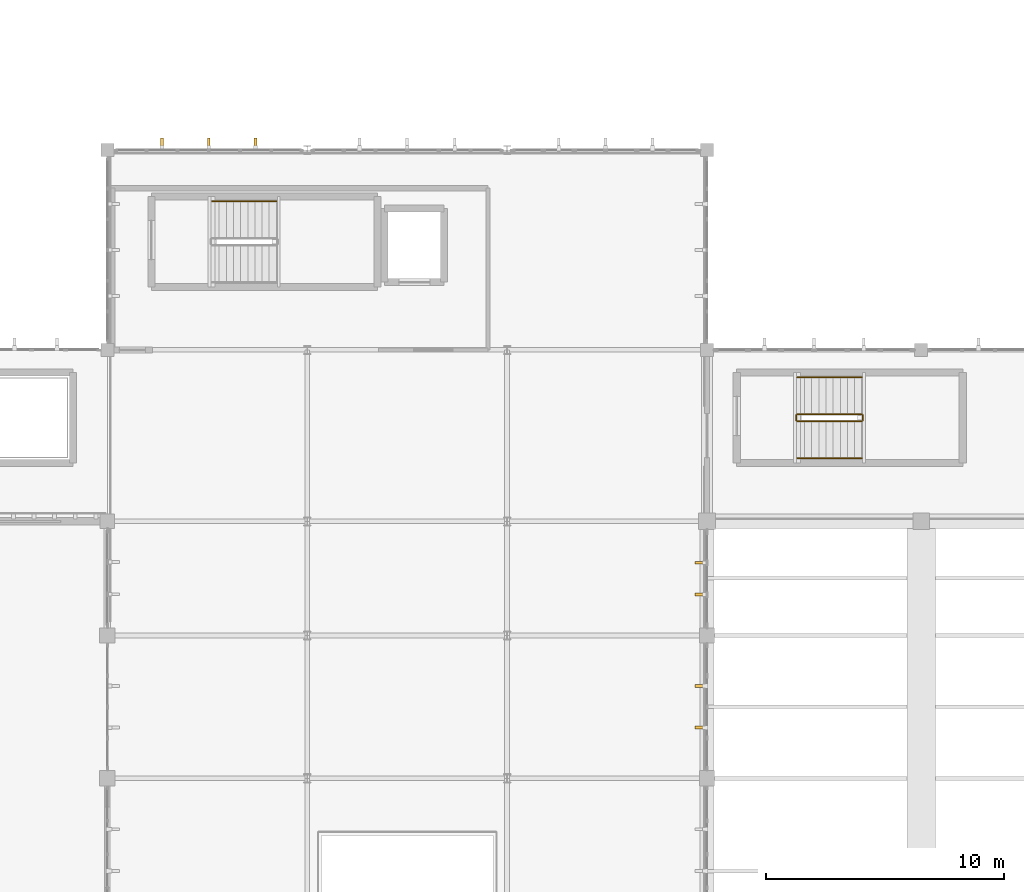
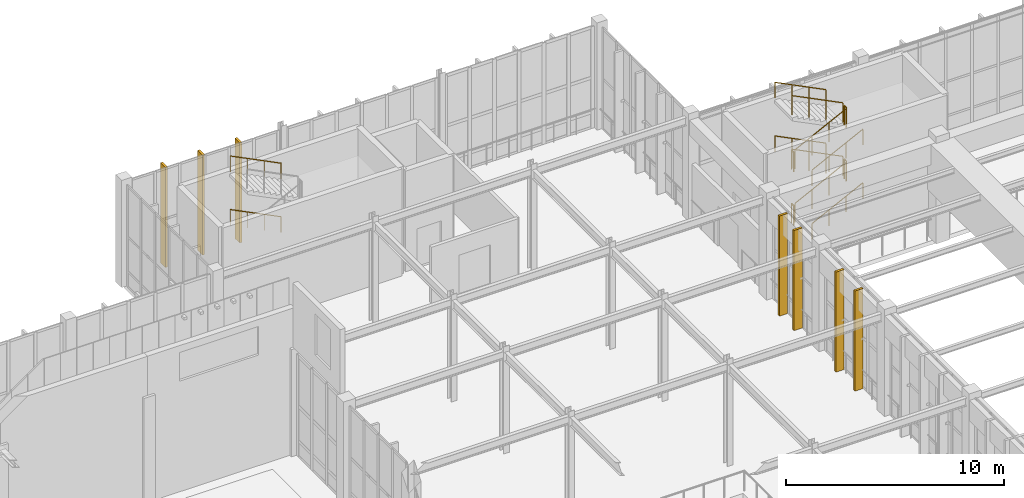
# One storey, part 101 of 105: 14 railings, 7 coverings.
"""IFC4 building model written with IfcOpenShell, lengths in metres."""

from ifc_helpers import new_model, si_unit, direction, frame, origin, origin_2d, place, context, subcontext, project, spatial, rectangle, circle, extrude, material, layer, layer_set, type_object, element, save


model = new_model("IFC4")

# Units and contexts
model_context = context("Model", 3, precision=1e-05, world=origin(), true_north=direction((0.0, 1.0)))
body_context = subcontext(model_context, "Body", "Model", "MODEL_VIEW")
ifc_project = project(units=[si_unit("LENGTHUNIT", "METRE"), si_unit("AREAUNIT", "SQUARE_METRE"), si_unit("VOLUMEUNIT", "CUBIC_METRE"), si_unit("PLANEANGLEUNIT", "RADIAN"), si_unit("MASSUNIT", "GRAM", prefix="KILO")], contexts=[model_context])

# Site, building, storey
site_placement = place(None, origin())
site = spatial("IfcSite", under=ifc_project, at=site_placement, CompositionType="ELEMENT")
building_placement = place(site_placement, origin())
building = spatial("IfcBuilding", under=site, at=building_placement, Name="Tizgana Railside Sports Hall", CompositionType="ELEMENT")
storey_placement = place(building_placement, frame((0.0, 0.0, 6.0)))
storey = spatial("IfcBuildingStorey", under=building, at=storey_placement, Name="L01", CompositionType="ELEMENT", Elevation=6.0)

# Coverings
ifc_material_1 = material(Name="Glulam GL28h", Category="wood")
ifc_layer = layer(ifc_material_1, 0.139892578125, Name="Glulam GL28h")
ifc_layer_set = layer_set([ifc_layer], Name="Glulam GL28h")
covering_type = type_object("IfcCoveringType", Name="Mass-Timber Brise-Soleil & Pergola Fin", PredefinedType="CLADDING", material=ifc_layer_set)
for number, where, z_axis, x_axis, name in (
    (1, (56.896240234375, 89.080078125, 0.0400390625), (0.0, 0.0, 1.0), (1.0, 0.0, 0.0), "L01 Timber Brise-Soleil Fin"),
    (2, (58.862548828125, 89.080078125, 0.0400390625), (0.0, 0.0, 1.0), (1.0, 0.0, 0.0), "L01 Timber Brise-Soleil Fin"),
    (3, (60.82861328125, 89.080078125, 0.0400390625), (0.0, 0.0, 1.0), (1.0, 0.0, 0.0), "L01 Timber Brise-Soleil Fin"),
    (4, (79.52001953125, 64.526611328125, 0.0400390625), (0.0, 0.0, 1.0), (0.0, 1.0, 0.0), "L01 Timber Brise-Soleil Fin"),
    (5, (79.52001953125, 66.273193359375, 0.0400390625), (0.0, 0.0, 1.0), (0.0, 1.0, 0.0), "L01 Timber Brise-Soleil Fin"),
    (6, (79.52001953125, 70.118408203125, 0.0400390625), (0.0, 0.0, 1.0), (0.0, 1.0, 0.0), "L01 Timber Brise-Soleil Fin"),
    (7, (79.52001953125, 71.456787109375, 0.0400390625), (0.0, 0.0, 1.0), (0.0, 1.0, 0.0), "L01 Timber Brise-Soleil Fin"),
):
    element("IfcCovering", number, at=place(storey_placement, frame(where, z_axis=z_axis, x_axis=x_axis)), inside=storey, type_object=covering_type, Name=name, PredefinedType="CLADDING", context=body_context, shape_type="SweptSolid", body=[
        extrude(rectangle(XDim=0.1201171875, YDim=0.43994140625, at=origin_2d()), origin(), (0.0, 0.0, 1.0), 5.610107421875),
    ])

# Railings
ifc_material_2 = material(Name="Galvanised steel sheet", Category="steel")
railing_type_1 = type_object("IfcRailingType", Name="Safety Balustrade Guard 1100", PredefinedType="BALUSTRADE", material=ifc_material_2)
railing_1_placement = place(storey_placement, frame((83.60009765625, 77.39990234375, 0.14990234375)))
element("IfcRailing", 8, at=railing_1_placement, inside=storey, type_object=railing_type_1, Name="L01 ST-08 stair guard 1", PredefinedType="BALUSTRADE", context=body_context, shape_type="SweptSolid", body=[
    extrude(circle(Radius=0.02392578125, at=origin_2d()), frame((0.0, 0.0, 1.076171875), z_axis=(0.894411015155, 0.0, 0.447245945728), x_axis=(0.0, 1.0, 0.0)), (0.0, 0.0, 1.0), 3.018798828125),
    extrude(circle(Radius=0.02099609375, at=origin_2d()), origin(), (0.0, 0.0, 1.0), 1.052001953125),
    extrude(circle(Radius=0.02099609375, at=origin_2d()), frame((0.89990234375, 0.0, 0.449951171875)), (0.0, 0.0, 1.0), 1.052001953125),
    extrude(circle(Radius=0.02099609375, at=origin_2d()), frame((1.800048828125, 0.0, 0.900146484375)), (0.0, 0.0, 1.0), 1.052001953125),
    extrude(circle(Radius=0.02099609375, at=origin_2d()), frame((2.699951171875, 0.0, 1.35009765625)), (0.0, 0.0, 1.0), 1.052001953125),
])
railing_2_placement = place(storey_placement, frame((86.35009765625, 77.449951171875, 1.5)))
element("IfcRailing", 9, at=railing_2_placement, inside=storey, type_object=railing_type_1, Name="L01 ST-08 stair guard 2", PredefinedType="BALUSTRADE", context=body_context, shape_type="SweptSolid", body=[
    extrude(circle(Radius=0.02392578125, at=origin_2d()), frame((0.0, 0.0, 1.076171875), z_axis=(0.0, 1.0, 0.0), x_axis=(-1.0, 0.0, 0.0)), (0.0, 0.0, 1.0), 0.199951171875),
    extrude(circle(Radius=0.02099609375, at=origin_2d()), origin(), (0.0, 0.0, 1.0), 1.052001953125),
    extrude(circle(Radius=0.02099609375, at=origin_2d()), frame((0.0, 0.199951171875, 0.0)), (0.0, 0.0, 1.0), 1.052001953125),
])
railing_3_placement = place(storey_placement, frame((86.300048828125, 77.699951171875, 1.64990234375)))
element("IfcRailing", 10, at=railing_3_placement, inside=storey, type_object=railing_type_1, Name="L01 ST-08 stair guard 3", PredefinedType="BALUSTRADE", context=body_context, shape_type="SweptSolid", body=[
    extrude(circle(Radius=0.02392578125, at=origin_2d()), frame((0.0, 0.0, 1.076171875), z_axis=(-0.894411015155, 0.0, 0.447245945728), x_axis=(0.0, -1.0, 0.0)), (0.0, 0.0, 1.0), 3.018798828125),
    extrude(circle(Radius=0.02099609375, at=origin_2d()), origin(), (0.0, 0.0, 1.0), 1.052001953125),
    extrude(circle(Radius=0.02099609375, at=origin_2d()), frame((-0.89990234375, 0.0, 0.449951171875)), (0.0, 0.0, 1.0), 1.052001953125),
    extrude(circle(Radius=0.02099609375, at=origin_2d()), frame((-1.800048828125, 0.0, 0.900146484375)), (0.0, 0.0, 1.0), 1.052001953125),
    extrude(circle(Radius=0.02099609375, at=origin_2d()), frame((-2.699951171875, 0.0, 1.35009765625)), (0.0, 0.0, 1.0), 1.052001953125),
])
railing_4_placement = place(storey_placement, frame((83.550048828125, 77.449951171875, 3.0)))
element("IfcRailing", 11, at=railing_4_placement, inside=storey, type_object=railing_type_1, Name="L01 ST-08 stair guard 4", PredefinedType="BALUSTRADE", context=body_context, shape_type="SweptSolid", body=[
    extrude(circle(Radius=0.02392578125, at=origin_2d()), frame((0.0, 0.0, 1.076171875), z_axis=(0.0, 1.0, 0.0), x_axis=(-1.0, 0.0, 0.0)), (0.0, 0.0, 1.0), 0.199951171875),
    extrude(circle(Radius=0.02099609375, at=origin_2d()), origin(), (0.0, 0.0, 1.0), 1.052001953125),
    extrude(circle(Radius=0.02099609375, at=origin_2d()), frame((0.0, 0.199951171875, 0.0)), (0.0, 0.0, 1.0), 1.052001953125),
])
railing_5_placement = place(storey_placement, frame((83.60009765625, 77.39990234375, 3.14990234375)))
element("IfcRailing", 12, at=railing_5_placement, inside=storey, type_object=railing_type_1, Name="L01 ST-08 stair guard 5", PredefinedType="BALUSTRADE", context=body_context, shape_type="SweptSolid", body=[
    extrude(circle(Radius=0.02392578125, at=origin_2d()), frame((0.0, 0.0, 1.076171875), z_axis=(0.894411015155, 0.0, 0.447245945728), x_axis=(0.0, 1.0, 0.0)), (0.0, 0.0, 1.0), 3.018798828125),
    extrude(circle(Radius=0.02099609375, at=origin_2d()), origin(), (0.0, 0.0, 1.0), 1.052001953125),
    extrude(circle(Radius=0.02099609375, at=origin_2d()), frame((0.89990234375, 0.0, 0.449951171875)), (0.0, 0.0, 1.0), 1.052001953125),
    extrude(circle(Radius=0.02099609375, at=origin_2d()), frame((1.800048828125, 0.0, 0.900146484375)), (0.0, 0.0, 1.0), 1.052001953125),
    extrude(circle(Radius=0.02099609375, at=origin_2d()), frame((2.699951171875, 0.0, 1.35009765625)), (0.0, 0.0, 1.0), 1.052001953125),
])
railing_6_placement = place(storey_placement, frame((86.35009765625, 77.449951171875, 4.5)))
element("IfcRailing", 13, at=railing_6_placement, inside=storey, type_object=railing_type_1, Name="L01 ST-08 stair guard 6", PredefinedType="BALUSTRADE", context=body_context, shape_type="SweptSolid", body=[
    extrude(circle(Radius=0.02392578125, at=origin_2d()), frame((0.0, 0.0, 1.076171875), z_axis=(0.0, 1.0, 0.0), x_axis=(-1.0, 0.0, 0.0)), (0.0, 0.0, 1.0), 0.199951171875),
    extrude(circle(Radius=0.02099609375, at=origin_2d()), origin(), (0.0, 0.0, 1.0), 1.052001953125),
    extrude(circle(Radius=0.02099609375, at=origin_2d()), frame((0.0, 0.199951171875, 0.0)), (0.0, 0.0, 1.0), 1.052001953125),
])
railing_7_placement = place(storey_placement, frame((86.300048828125, 77.699951171875, 4.64990234375)))
element("IfcRailing", 14, at=railing_7_placement, inside=storey, type_object=railing_type_1, Name="L01 ST-08 stair guard 7", PredefinedType="BALUSTRADE", context=body_context, shape_type="SweptSolid", body=[
    extrude(circle(Radius=0.02392578125, at=origin_2d()), frame((0.0, 0.0, 1.076171875), z_axis=(-0.894411015155, 0.0, 0.447245945728), x_axis=(0.0, -1.0, 0.0)), (0.0, 0.0, 1.0), 3.018798828125),
    extrude(circle(Radius=0.02099609375, at=origin_2d()), origin(), (0.0, 0.0, 1.0), 1.052001953125),
    extrude(circle(Radius=0.02099609375, at=origin_2d()), frame((-0.89990234375, 0.0, 0.449951171875)), (0.0, 0.0, 1.0), 1.052001953125),
    extrude(circle(Radius=0.02099609375, at=origin_2d()), frame((-1.800048828125, 0.0, 0.900146484375)), (0.0, 0.0, 1.0), 1.052001953125),
    extrude(circle(Radius=0.02099609375, at=origin_2d()), frame((-2.699951171875, 0.0, 1.35009765625)), (0.0, 0.0, 1.0), 1.052001953125),
])
railing_8_placement = place(storey_placement, frame((83.550048828125, 77.449951171875, 0.0)))
element("IfcRailing", 15, at=railing_8_placement, inside=storey, type_object=railing_type_1, Name="L01 ST-08 stair guard 8", PredefinedType="BALUSTRADE", context=body_context, shape_type="SweptSolid", body=[
    extrude(circle(Radius=0.02392578125, at=origin_2d()), frame((0.0, 0.0, 1.076171875), z_axis=(0.0, 1.0, 0.0), x_axis=(-1.0, 0.0, 0.0)), (0.0, 0.0, 1.0), 0.199951171875),
    extrude(circle(Radius=0.02099609375, at=origin_2d()), origin(), (0.0, 0.0, 1.0), 1.052001953125),
    extrude(circle(Radius=0.02099609375, at=origin_2d()), frame((0.0, 0.199951171875, 0.0)), (0.0, 0.0, 1.0), 1.052001953125),
])
ifc_material_3 = material(Name="Brushed stainless steel", Category="steel")
railing_type_2 = type_object("IfcRailingType", Name="Stair & Ramp Wall Handrail 900", PredefinedType="HANDRAIL", material=ifc_material_3)
for number, where, name in (
    (16, (61.699951171875, 86.64990234375, 1.64990234375), "L01 ST-04 stair handrail 2"),
    (17, (61.699951171875, 86.64990234375, 4.64990234375), "L01 ST-04 stair handrail 4"),
):
    element("IfcRailing", number, at=place(storey_placement, frame(where)), inside=storey, type_object=railing_type_2, Name=name, PredefinedType="HANDRAIL", context=body_context, shape_type="SweptSolid", body=[
        extrude(circle(Radius=0.02392578125, at=origin_2d()), frame((0.0, 0.0, 0.8759765625), z_axis=(-0.894411015155, 0.0, 0.447245945728), x_axis=(0.0, -1.0, 0.0)), (0.0, 0.0, 1.0), 3.018798828125),
        extrude(circle(Radius=0.02099609375, at=origin_2d()), origin(), (0.0, 0.0, 1.0), 0.851806640625),
        extrude(circle(Radius=0.02099609375, at=origin_2d()), frame((-0.89990234375, 0.0, 0.449951171875)), (0.0, 0.0, 1.0), 0.851806640625),
        extrude(circle(Radius=0.02099609375, at=origin_2d()), frame((-1.800048828125, 0.0, 0.900146484375)), (0.0, 0.0, 1.0), 0.851806640625),
        extrude(circle(Radius=0.02099609375, at=origin_2d()), frame((-2.699951171875, 0.0, 1.35009765625)), (0.0, 0.0, 1.0), 0.851806640625),
    ])
railing_9_placement = place(storey_placement, frame((83.60009765625, 75.85009765625, 0.14990234375)))
element("IfcRailing", 18, at=railing_9_placement, inside=storey, type_object=railing_type_2, Name="L01 ST-08 stair handrail 1", PredefinedType="HANDRAIL", context=body_context, shape_type="SweptSolid", body=[
    extrude(circle(Radius=0.02392578125, at=origin_2d()), frame((0.0, 0.0, 0.8759765625), z_axis=(0.894411015155, 0.0, 0.447245945728), x_axis=(0.0, 1.0, 0.0)), (0.0, 0.0, 1.0), 3.018798828125),
    extrude(circle(Radius=0.02099609375, at=origin_2d()), origin(), (0.0, 0.0, 1.0), 0.851806640625),
    extrude(circle(Radius=0.02099609375, at=origin_2d()), frame((0.89990234375, 0.0, 0.449951171875)), (0.0, 0.0, 1.0), 0.851806640625),
    extrude(circle(Radius=0.02099609375, at=origin_2d()), frame((1.800048828125, 0.0, 0.900146484375)), (0.0, 0.0, 1.0), 0.851806640625),
    extrude(circle(Radius=0.02099609375, at=origin_2d()), frame((2.699951171875, 0.0, 1.35009765625)), (0.0, 0.0, 1.0), 0.851806640625),
])
railing_10_placement = place(storey_placement, frame((86.300048828125, 79.25, 1.64990234375)))
element("IfcRailing", 19, at=railing_10_placement, inside=storey, type_object=railing_type_2, Name="L01 ST-08 stair handrail 2", PredefinedType="HANDRAIL", context=body_context, shape_type="SweptSolid", body=[
    extrude(circle(Radius=0.02392578125, at=origin_2d()), frame((0.0, 0.0, 0.8759765625), z_axis=(-0.894411015155, 0.0, 0.447245945728), x_axis=(0.0, -1.0, 0.0)), (0.0, 0.0, 1.0), 3.018798828125),
    extrude(circle(Radius=0.02099609375, at=origin_2d()), origin(), (0.0, 0.0, 1.0), 0.851806640625),
    extrude(circle(Radius=0.02099609375, at=origin_2d()), frame((-0.89990234375, 0.0, 0.449951171875)), (0.0, 0.0, 1.0), 0.851806640625),
    extrude(circle(Radius=0.02099609375, at=origin_2d()), frame((-1.800048828125, 0.0, 0.900146484375)), (0.0, 0.0, 1.0), 0.851806640625),
    extrude(circle(Radius=0.02099609375, at=origin_2d()), frame((-2.699951171875, 0.0, 1.35009765625)), (0.0, 0.0, 1.0), 0.851806640625),
])
railing_11_placement = place(storey_placement, frame((83.60009765625, 75.85009765625, 3.14990234375)))
element("IfcRailing", 20, at=railing_11_placement, inside=storey, type_object=railing_type_2, Name="L01 ST-08 stair handrail 3", PredefinedType="HANDRAIL", context=body_context, shape_type="SweptSolid", body=[
    extrude(circle(Radius=0.02392578125, at=origin_2d()), frame((0.0, 0.0, 0.8759765625), z_axis=(0.894411015155, 0.0, 0.447245945728), x_axis=(0.0, 1.0, 0.0)), (0.0, 0.0, 1.0), 3.018798828125),
    extrude(circle(Radius=0.02099609375, at=origin_2d()), origin(), (0.0, 0.0, 1.0), 0.851806640625),
    extrude(circle(Radius=0.02099609375, at=origin_2d()), frame((0.89990234375, 0.0, 0.449951171875)), (0.0, 0.0, 1.0), 0.851806640625),
    extrude(circle(Radius=0.02099609375, at=origin_2d()), frame((1.800048828125, 0.0, 0.900146484375)), (0.0, 0.0, 1.0), 0.851806640625),
    extrude(circle(Radius=0.02099609375, at=origin_2d()), frame((2.699951171875, 0.0, 1.35009765625)), (0.0, 0.0, 1.0), 0.851806640625),
])
railing_12_placement = place(storey_placement, frame((86.300048828125, 79.25, 4.64990234375)))
element("IfcRailing", 21, at=railing_12_placement, inside=storey, type_object=railing_type_2, Name="L01 ST-08 stair handrail 4", PredefinedType="HANDRAIL", context=body_context, shape_type="SweptSolid", body=[
    extrude(circle(Radius=0.02392578125, at=origin_2d()), frame((0.0, 0.0, 0.8759765625), z_axis=(-0.894411015155, 0.0, 0.447245945728), x_axis=(0.0, -1.0, 0.0)), (0.0, 0.0, 1.0), 3.018798828125),
    extrude(circle(Radius=0.02099609375, at=origin_2d()), origin(), (0.0, 0.0, 1.0), 0.851806640625),
    extrude(circle(Radius=0.02099609375, at=origin_2d()), frame((-0.89990234375, 0.0, 0.449951171875)), (0.0, 0.0, 1.0), 0.851806640625),
    extrude(circle(Radius=0.02099609375, at=origin_2d()), frame((-1.800048828125, 0.0, 0.900146484375)), (0.0, 0.0, 1.0), 0.851806640625),
    extrude(circle(Radius=0.02099609375, at=origin_2d()), frame((-2.699951171875, 0.0, 1.35009765625)), (0.0, 0.0, 1.0), 0.851806640625),
])

save(model, "model.ifc")
